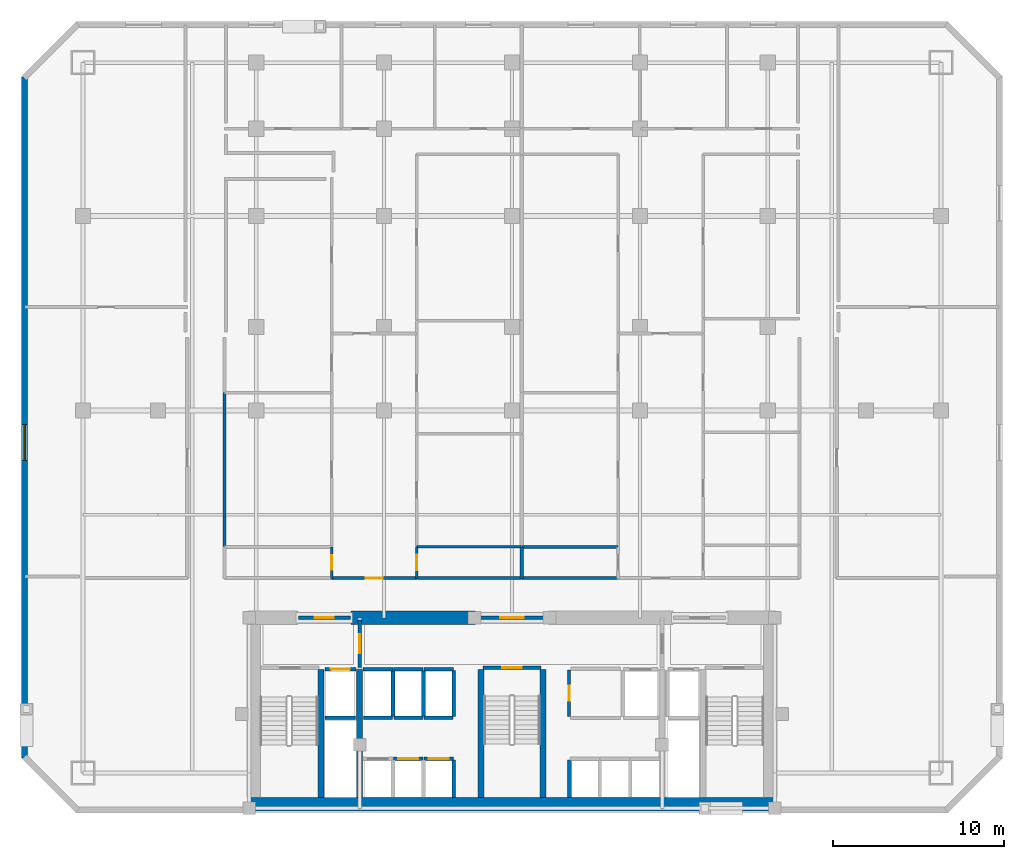
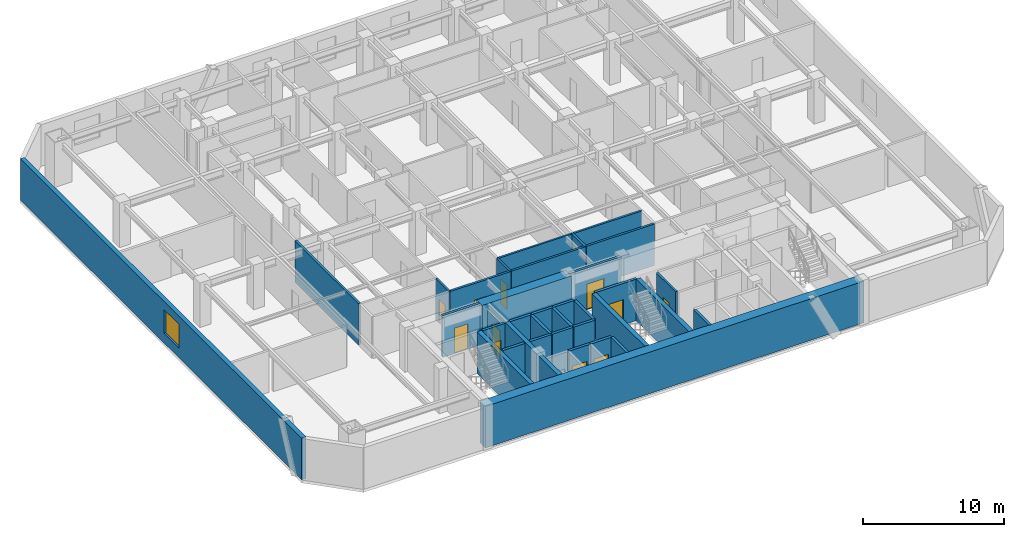
# One storey, part 3 of 8: 36 walls, 11 doors, 1 window, 12 openings.
"""IFC4 building model written with IfcOpenShell, lengths in metres."""

from ifc_helpers import new_model, si_unit, direction, frame, frame_2d, origin, place, context, subcontext, project, spatial, rectangle, extrude, material, layer, layer_set, type_object, element, fill, save


model = new_model("IFC4")

# Units and contexts
model_context = context("Model", 3, precision=1e-05, world=origin(), true_north=direction((0.0, 1.0)))
body_context = subcontext(model_context, "Body", "Model", "MODEL_VIEW")
ifc_project = project(units=[si_unit("LENGTHUNIT", "METRE"), si_unit("AREAUNIT", "SQUARE_METRE"), si_unit("VOLUMEUNIT", "CUBIC_METRE"), si_unit("PLANEANGLEUNIT", "RADIAN"), si_unit("MASSUNIT", "GRAM", prefix="KILO")], contexts=[model_context])

# Site, building, storey
site_placement = place(None, origin())
site = spatial("IfcSite", under=ifc_project, at=site_placement, CompositionType="ELEMENT")
building_placement = place(site_placement, origin())
building = spatial("IfcBuilding", under=site, at=building_placement, Name="Ventersveld Concourse Tower", CompositionType="ELEMENT")
storey_placement = place(building_placement, frame((0.0, 0.0, 33.64990234375)))
storey = spatial("IfcBuildingStorey", under=building, at=storey_placement, Name="L07", CompositionType="ELEMENT", Elevation=33.64990234375)

# Walls
ifc_material_1 = material(Name="Concrete C60/75", Category="concrete")
ifc_layer_1 = layer(ifc_material_1, 0.35009765625)
ifc_layer_set_1 = layer_set([ifc_layer_1], Name="Concrete C60/75")
wall_type_1 = type_object("IfcWallType", Name="WL-CORE-350L", PredefinedType="SHEAR", material=ifc_layer_set_1)
for number, where, z_axis, x_axis, name in (
    (1, (17.5400390625, 0.919921875, 0.0), (0.0, 0.0, 1.0), (0.0, 1.0, 0.0), "L07 Core Internal Shear Web W-ST1-E"),
    (2, (19.820068359375, 0.919921875, 0.0), (0.0, 0.0, 1.0), (0.0, 1.0, 0.0), "L07 Core Internal Shear Web W-FF1-E"),
    (3, (26.93994140625, 0.919921875, 0.0), (0.0, 0.0, 1.0), (0.0, 1.0, 0.0), "L07 Core Internal Shear Web W-ST3-W"),
    (4, (30.56005859375, 0.919921875, 0.0), (0.0, 0.0, 1.0), (0.0, 1.0, 0.0), "L07 Core Internal Shear Web W-ST3-E"),
):
    element("IfcWall", number, at=place(storey_placement, frame(where, z_axis=z_axis, x_axis=x_axis)), inside=storey, type_object=wall_type_1, Name=name, PredefinedType="SHEAR", context=body_context, shape_type="SweptSolid", body=[
        extrude(rectangle(XDim=7.5, YDim=0.35009765625, at=frame_2d((3.75, 0.0))), origin(), (0.0, 0.0, 1.0), 3.60009765625),
    ])
ifc_layer_2 = layer(ifc_material_1, 0.800048828125)
ifc_layer_set_2 = layer_set([ifc_layer_2], Name="Concrete C60/75")
wall_type_2 = type_object("IfcWallType", Name="WL-CORE-800", PredefinedType="SHEAR", material=ifc_layer_set_2)
wall_1_placement = place(storey_placement, frame((13.25, 0.52001953125, 0.0), z_axis=(0.0, 0.0, 1.0), x_axis=(1.0, 0.0, 0.0)))
element("IfcWall", 5, at=wall_1_placement, inside=storey, type_object=wall_type_2, Name="L07 Rear Core South Shear Wall", PredefinedType="SHEAR", context=body_context, shape_type="SweptSolid", body=[
    extrude(rectangle(XDim=31.0, YDim=0.800048828125, at=frame_2d((15.5, 0.0))), origin(), (0.0, 0.0, 1.0), 3.60009765625),
])
wall_2_placement = place(storey_placement, frame((19.300048828125, 11.449951171875, 0.0), z_axis=(0.0, 0.0, 1.0), x_axis=(1.0, 0.0, 0.0)))
element("IfcWall", 6, at=wall_2_placement, inside=storey, type_object=wall_type_2, Name="L07 Rear Core North Shear Wall NML", PredefinedType="SHEAR", context=body_context, shape_type="SweptSolid", body=[
    extrude(rectangle(XDim=7.300048828125, YDim=0.800048828125, at=frame_2d((3.64990234375, 0.0))), origin(), (0.0, 0.0, 1.0), 3.60009765625),
])

# Wall, opening, door
ifc_material_2 = material(Name="Fire-rated autoclaved aerated masonry blockwork", Category="masonry")
ifc_layer_3 = layer(ifc_material_2, 0.179931640625)
ifc_layer_set_3 = layer_set([ifc_layer_3], Name="Fire-rated autoclaved aerated masonry blockwork")
wall_type_3 = type_object("IfcWallType", Name="WL-CORR-180", PredefinedType="PARTITIONING", material=ifc_layer_set_3)
wall_3_placement = place(storey_placement, frame((32.10009765625, 5.64990234375, 0.0), z_axis=(0.0, 0.0, 1.0), x_axis=(0.0, 1.0, 0.0)))
wall_3 = element("IfcWall", 7, at=wall_3_placement, inside=storey, type_object=wall_type_3, Name="L07 Core Passage Wall SP-L07-CBAY1", PredefinedType="PARTITIONING", context=body_context, shape_type="SweptSolid", body=[
    extrude(rectangle(XDim=2.72998046875, YDim=0.179931640625, at=frame_2d((1.364990234375, 0.0))), origin(), (0.0, 0.0, 1.0), 3.60009765625),
])
opening_1_placement = place(wall_3_placement, frame((0.925048828125, 0.0, 0.0)))
opening_1 = element("IfcOpeningElement", 8, at=opening_1_placement, cuts=wall_3, Name="Opening FD5", PredefinedType="OPENING", context=body_context, shape_type="SweptSolid", body=[
    extrude(rectangle(XDim=0.8798828125, YDim=2.050048828125, at=frame_2d((0.43994140625, 1.02490234375))), frame((0.0, 0.10009765625, 0.0), z_axis=(0.0, -1.0, 0.0), x_axis=(1.0, 0.0, 0.0)), (0.0, 0.0, 1.0), 0.199951171875),
])
ifc_material_3 = material(Name="Galvanised painted steel", Category="steel")
door_type_1 = type_object("IfcDoorType", Name="DR-RISER-088", OperationType="NOTDEFINED", PredefinedType="DOOR", material=ifc_material_3)
door_1_placement = place(opening_1_placement, origin())
door_1 = element("IfcDoor", 9, at=door_1_placement, inside=storey, type_object=door_type_1, Name="L07 Core Room Door L07 Core Housekeeping Linen Store (CD-L07-0225)", OperationType="SINGLE_SWING_RIGHT", OverallHeight=2.050048828125, OverallWidth=0.8798828125, PredefinedType="DOOR", context=body_context, shape_type="SweptSolid", body=[
    extrude(rectangle(XDim=0.8798828125, YDim=2.050048828125, at=frame_2d((0.43994140625, 1.02490234375))), frame((0.0, 0.02490234375, 0.0), z_axis=(0.0, -1.0, 0.0), x_axis=(1.0, 0.0, 0.0)), (0.0, 0.0, 1.0), 0.050048828125),
])
fill(opening_1, door_1)

wall_4_placement = place(storey_placement, frame((18.1787109375, 13.77001953125, 0.0), z_axis=(0.0, 0.0, 1.0), x_axis=(1.0, 0.0, 0.0)))
wall_4 = element("IfcWall", 10, at=wall_4_placement, inside=storey, type_object=wall_type_3, Name="L07 Interior Partition SP-L07-COR-SP-L07-07N1-FOY", PredefinedType="PARTITIONING", context=body_context, shape_type="SweptSolid", body=[
    extrude(rectangle(XDim=4.989990234375, YDim=0.179931640625, at=frame_2d((2.4951171875, 0.0))), origin(), (0.0, 0.0, 1.0), 3.60009765625),
])
opening_2_placement = place(wall_4_placement, frame((1.9951171875, 0.0, 0.0)))
opening_2 = element("IfcOpeningElement", 11, at=opening_2_placement, cuts=wall_4, Name="Opening FD3", PredefinedType="OPENING", context=body_context, shape_type="SweptSolid", body=[
    extrude(rectangle(XDim=1.0, YDim=2.14990234375, at=frame_2d((0.5, 1.074951171875))), frame((0.0, 0.10009765625, 0.0), z_axis=(0.0, -1.0, 0.0), x_axis=(1.0, 0.0, 0.0)), (0.0, 0.0, 1.0), 0.199951171875),
])
ifc_material_4 = material(Name="Solid-core hardwood veneer timber", Category="wood")
door_type_2 = type_object("IfcDoorType", Name="DR-FLAT-100", OperationType="NOTDEFINED", PredefinedType="DOOR", material=ifc_material_4)
door_2_placement = place(opening_2_placement, origin())
door_2 = element("IfcDoor", 12, at=door_2_placement, inside=storey, type_object=door_type_2, Name="L07 Interior Door SP-L07-COR to SP-L07-07N1-FOY (FD-L07-0228)", OperationType="SINGLE_SWING_RIGHT", OverallHeight=2.14990234375, OverallWidth=1.0, PredefinedType="DOOR", context=body_context, shape_type="SweptSolid", body=[
    extrude(rectangle(XDim=1.0, YDim=2.14990234375, at=frame_2d((0.5, 1.074951171875))), frame((0.0, 0.02490234375, 0.0), z_axis=(0.0, -1.0, 0.0), x_axis=(1.0, 0.0, 0.0)), (0.0, 0.0, 1.0), 0.050048828125),
])
fill(opening_2, door_2)

# Walls
wall_5_placement = place(storey_placement, frame((11.889892578125, 15.635009765625, 0.0), z_axis=(0.0, 0.0, 1.0), x_axis=(0.0, 1.0, 0.0)))
element("IfcWall", 13, at=wall_5_placement, inside=storey, type_object=wall_type_3, Name="L07 Interior Partition SP-L07-COR-SP-L07-07N1-DENL", PredefinedType="PARTITIONING", context=body_context, shape_type="SweptSolid", body=[
    extrude(rectangle(XDim=9.019775390625, YDim=0.179931640625, at=frame_2d((4.509765625, 0.0))), origin(), (0.0, 0.0, 1.0), 3.60009765625),
])
wall_6_placement = place(storey_placement, frame((23.19873046875, 13.77001953125, 0.0), z_axis=(0.0, 0.0, 1.0), x_axis=(1.0, 0.0, 0.0)))
element("IfcWall", 14, at=wall_6_placement, inside=storey, type_object=wall_type_3, Name="L07 Interior Partition SP-L07-COR-SP-L07-07N1-KIT", PredefinedType="PARTITIONING", context=body_context, shape_type="SweptSolid", body=[
    extrude(rectangle(XDim=6.120361328125, YDim=0.179931640625, at=frame_2d((3.06005859375, 0.0))), origin(), (0.0, 0.0, 1.0), 3.60009765625),
])
wall_7_placement = place(storey_placement, frame((29.34912109375, 13.77001953125, 0.0), z_axis=(0.0, 0.0, 1.0), x_axis=(1.0, 0.0, 0.0)))
element("IfcWall", 15, at=wall_7_placement, inside=storey, type_object=wall_type_3, Name="L07 Interior Partition SP-L07-COR-SP-L07-07N2-BATH", PredefinedType="PARTITIONING", context=body_context, shape_type="SweptSolid", body=[
    extrude(rectangle(XDim=5.587890625, YDim=0.179931640625, at=frame_2d((2.7939453125, 0.0))), origin(), (0.0, 0.0, 1.0), 3.60009765625),
])
ifc_layer_4 = layer(ifc_material_2, 0.199951171875)
ifc_layer_set_4 = layer_set([ifc_layer_4], Name="Fire-rated autoclaved aerated masonry blockwork")
wall_type_4 = type_object("IfcWallType", Name="WL-DEMISE-200", PredefinedType="PARTITIONING", material=ifc_layer_set_4)
wall_8_placement = place(storey_placement, frame((29.314208984375, 13.764892578125, 0.0), z_axis=(0.0, 0.0, 1.0), x_axis=(0.0, 1.0, 0.0)))
element("IfcWall", 16, at=wall_8_placement, inside=storey, type_object=wall_type_4, Name="L07 Interior Partition SP-L07-07N1-KIT-SP-L07-07N2-BATH", PredefinedType="PARTITIONING", context=body_context, shape_type="SweptSolid", body=[
    extrude(rectangle(XDim=1.840087890625, YDim=0.199951171875, at=frame_2d((0.919921875, 0.0))), origin(), (0.0, 0.0, 1.0), 3.60009765625),
])
ifc_layer_5 = layer(ifc_material_2, 0.219970703125)
ifc_layer_set_5 = layer_set([ifc_layer_5], Name="Fire-rated autoclaved aerated masonry blockwork")
wall_type_5 = type_object("IfcWallType", Name="WL-HOIST-220", PredefinedType="SOLIDWALL", material=ifc_layer_set_5)
wall_9_placement = place(storey_placement, frame((17.800048828125, 5.590087890625, 0.0), z_axis=(0.0, 0.0, 1.0), x_axis=(1.0, 0.0, 0.0)))
element("IfcWall", 17, at=wall_9_placement, inside=storey, type_object=wall_type_5, Name="L07 Lift Hoistway Back Wall FFL-01", PredefinedType="SOLIDWALL", context=body_context, shape_type="SweptSolid", body=[
    extrude(rectangle(XDim=1.780029296875, YDim=0.219970703125, at=frame_2d((0.89013671875, 0.0))), origin(), (0.0, 0.0, 1.0), 3.60009765625),
])

# Wall, opening, door
wall_10_placement = place(storey_placement, frame((17.780029296875, 8.429931640625, 0.0), z_axis=(0.0, 0.0, 1.0), x_axis=(1.0, 0.0, 0.0)))
wall_10 = element("IfcWall", 18, at=wall_10_placement, inside=storey, type_object=wall_type_5, Name="L07 Lift Hoistway Front Wall FFL-01", PredefinedType="SOLIDWALL", context=body_context, shape_type="SweptSolid", body=[
    extrude(rectangle(XDim=1.820068359375, YDim=0.219970703125, at=frame_2d((0.91015625, 0.0))), origin(), (0.0, 0.0, 1.0), 3.60009765625),
])
opening_3_placement = place(wall_10_placement, frame((0.35009765625, 0.0, 0.0)))
opening_3 = element("IfcOpeningElement", 19, at=opening_3_placement, cuts=wall_10, Name="Opening LD1", PredefinedType="OPENING", context=body_context, shape_type="SweptSolid", body=[
    extrude(rectangle(XDim=1.1201171875, YDim=2.25, at=frame_2d((0.56005859375, 1.125))), frame((0.0, 0.1201171875, 0.0), z_axis=(0.0, -1.0, 0.0), x_axis=(1.0, 0.0, 0.0)), (0.0, 0.0, 1.0), 0.239990234375),
])
ifc_material_5 = material(Name="Brushed stainless steel 316", Category="steel")
door_type_3 = type_object("IfcDoorType", Name="LD-FF-112", OperationType="SLIDING_TO_LEFT", PredefinedType="DOOR", material=ifc_material_5)
door_3_placement = place(opening_3_placement, origin())
door_3 = element("IfcDoor", 20, at=door_3_placement, inside=storey, type_object=door_type_3, Name="L07 Lift landing door FFL-01 (LD-L07-FFL-01)", OperationType="SLIDING_TO_LEFT", OverallHeight=2.25, OverallWidth=1.1201171875, PredefinedType="DOOR", context=body_context, shape_type="SweptSolid", body=[
    extrude(rectangle(XDim=1.1201171875, YDim=2.25, at=frame_2d((0.56005859375, 1.125))), frame((0.0, 0.02490234375, 0.0), z_axis=(0.0, -1.0, 0.0), x_axis=(1.0, 0.0, 0.0)), (0.0, 0.0, 1.0), 0.050048828125),
])
fill(opening_3, door_3)

wall_11_placement = place(storey_placement, frame((21.800048828125, 3.179931640625, 0.0), z_axis=(0.0, 0.0, 1.0), x_axis=(1.0, 0.0, 0.0)))
wall_11 = element("IfcWall", 21, at=wall_11_placement, inside=storey, type_object=wall_type_5, Name="L07 Lift Hoistway Front Wall PL-02", PredefinedType="SOLIDWALL", context=body_context, shape_type="SweptSolid", body=[
    extrude(rectangle(XDim=1.739990234375, YDim=0.219970703125, at=frame_2d((0.8701171875, 0.0))), origin(), (0.0, 0.0, 1.0), 3.60009765625),
])
opening_4_placement = place(wall_11_placement, frame((0.280029296875, 0.0, 0.0)))
opening_4 = element("IfcOpeningElement", 22, at=opening_4_placement, cuts=wall_11, Name="Opening LD2", PredefinedType="OPENING", context=body_context, shape_type="SweptSolid", body=[
    extrude(rectangle(XDim=1.179931640625, YDim=2.199951171875, at=frame_2d((0.58984375, 1.10009765625))), frame((0.0, 0.1201171875, 0.0), z_axis=(0.0, -1.0, 0.0), x_axis=(1.0, 0.0, 0.0)), (0.0, 0.0, 1.0), 0.239990234375),
])
door_type_4 = type_object("IfcDoorType", Name="LD-PAX-118", OperationType="SLIDING_TO_LEFT", PredefinedType="DOOR", material=ifc_material_5)
door_4_placement = place(opening_4_placement, origin())
door_4 = element("IfcDoor", 23, at=door_4_placement, inside=storey, type_object=door_type_4, Name="L07 Lift landing door PL-02 (LD-L07-PL-02)", OperationType="SLIDING_TO_LEFT", OverallHeight=2.199951171875, OverallWidth=1.179931640625, PredefinedType="DOOR", context=body_context, shape_type="SweptSolid", body=[
    extrude(rectangle(XDim=1.179931640625, YDim=2.199951171875, at=frame_2d((0.58984375, 1.10009765625))), frame((0.0, 0.02490234375, 0.0), z_axis=(0.0, -1.0, 0.0), x_axis=(1.0, 0.0, 0.0)), (0.0, 0.0, 1.0), 0.050048828125),
])
fill(opening_4, door_4)

# Wall
wall_12_placement = place(storey_placement, frame((25.340087890625, 0.89990234375, 0.0), z_axis=(0.0, 0.0, 1.0), x_axis=(0.0, 1.0, 0.0)))
element("IfcWall", 24, at=wall_12_placement, inside=storey, type_object=wall_type_5, Name="L07 Lift Hoistway Side Wall PL-03E", PredefinedType="SOLIDWALL", context=body_context, shape_type="SweptSolid", body=[
    extrude(rectangle(XDim=2.2001953125, YDim=0.219970703125, at=frame_2d((1.10009765625, 0.0))), origin(), (0.0, 0.0, 1.0), 3.60009765625),
])

# Wall, opening, door
wall_13_placement = place(storey_placement, frame((23.580078125, 3.179931640625, 0.0), z_axis=(0.0, 0.0, 1.0), x_axis=(1.0, 0.0, 0.0)))
wall_13 = element("IfcWall", 25, at=wall_13_placement, inside=storey, type_object=wall_type_5, Name="L07 Lift Hoistway Front Wall PL-03", PredefinedType="SOLIDWALL", context=body_context, shape_type="SweptSolid", body=[
    extrude(rectangle(XDim=1.739990234375, YDim=0.219970703125, at=frame_2d((0.8701171875, 0.0))), origin(), (0.0, 0.0, 1.0), 3.60009765625),
])
opening_5_placement = place(wall_13_placement, frame((0.280029296875, 0.0, 0.0)))
opening_5 = element("IfcOpeningElement", 26, at=opening_5_placement, cuts=wall_13, Name="Opening LD2", PredefinedType="OPENING", context=body_context, shape_type="SweptSolid", body=[
    extrude(rectangle(XDim=1.179931640625, YDim=2.199951171875, at=frame_2d((0.58984375, 1.10009765625))), frame((0.0, 0.1201171875, 0.0), z_axis=(0.0, -1.0, 0.0), x_axis=(1.0, 0.0, 0.0)), (0.0, 0.0, 1.0), 0.239990234375),
])
door_5_placement = place(opening_5_placement, origin())
door_5 = element("IfcDoor", 27, at=door_5_placement, inside=storey, type_object=door_type_4, Name="L07 Lift landing door PL-03 (LD-L07-PL-03)", OperationType="SLIDING_TO_RIGHT", OverallHeight=2.199951171875, OverallWidth=1.179931640625, PredefinedType="DOOR", context=body_context, shape_type="SweptSolid", body=[
    extrude(rectangle(XDim=1.179931640625, YDim=2.199951171875, at=frame_2d((0.58984375, 1.10009765625))), frame((0.0, 0.02490234375, 0.0), z_axis=(0.0, -1.0, 0.0), x_axis=(1.0, 0.0, 0.0)), (0.0, 0.0, 1.0), 0.050048828125),
])
fill(opening_5, door_5)

# Walls
wall_14_placement = place(storey_placement, frame((32.1201171875, 0.89990234375, 0.0), z_axis=(0.0, 0.0, 1.0), x_axis=(0.0, 1.0, 0.0)))
element("IfcWall", 28, at=wall_14_placement, inside=storey, type_object=wall_type_5, Name="L07 Lift Hoistway Side Wall PM-01W", PredefinedType="SOLIDWALL", context=body_context, shape_type="SweptSolid", body=[
    extrude(rectangle(XDim=2.2001953125, YDim=0.219970703125, at=frame_2d((1.10009765625, 0.0))), origin(), (0.0, 0.0, 1.0), 3.60009765625),
])
wall_15_placement = place(storey_placement, frame((20.0400390625, 5.590087890625, 0.0), z_axis=(0.0, 0.0, 1.0), x_axis=(1.0, 0.0, 0.0)))
element("IfcWall", 29, at=wall_15_placement, inside=storey, type_object=wall_type_5, Name="L07 Lift Hoistway Back Wall PH-01", PredefinedType="SOLIDWALL", context=body_context, shape_type="SweptSolid", body=[
    extrude(rectangle(XDim=1.699951171875, YDim=0.219970703125, at=frame_2d((0.85009765625, 0.0))), origin(), (0.0, 0.0, 1.0), 3.60009765625),
])
wall_16_placement = place(storey_placement, frame((21.780029296875, 5.64990234375, 0.0), z_axis=(0.0, 0.0, 1.0), x_axis=(0.0, 1.0, 0.0)))
element("IfcWall", 30, at=wall_16_placement, inside=storey, type_object=wall_type_5, Name="L07 Lift Hoistway Side Wall PH-01E", PredefinedType="SOLIDWALL", context=body_context, shape_type="SweptSolid", body=[
    extrude(rectangle(XDim=2.7001953125, YDim=0.219970703125, at=frame_2d((1.35009765625, 0.0))), origin(), (0.0, 0.0, 1.0), 3.60009765625),
])
wall_17_placement = place(storey_placement, frame((20.02001953125, 8.429931640625, 0.0), z_axis=(0.0, 0.0, 1.0), x_axis=(1.0, 0.0, 0.0)))
element("IfcWall", 31, at=wall_17_placement, inside=storey, type_object=wall_type_5, Name="L07 Lift Hoistway Front Wall PH-01", PredefinedType="SOLIDWALL", context=body_context, shape_type="SweptSolid", body=[
    extrude(rectangle(XDim=1.739990234375, YDim=0.219970703125, at=frame_2d((0.8701171875, 0.0))), origin(), (0.0, 0.0, 1.0), 3.60009765625),
])
wall_18_placement = place(storey_placement, frame((21.820068359375, 5.590087890625, 0.0), z_axis=(0.0, 0.0, 1.0), x_axis=(1.0, 0.0, 0.0)))
element("IfcWall", 32, at=wall_18_placement, inside=storey, type_object=wall_type_5, Name="L07 Lift Hoistway Back Wall PH-02", PredefinedType="SOLIDWALL", context=body_context, shape_type="SweptSolid", body=[
    extrude(rectangle(XDim=1.699951171875, YDim=0.219970703125, at=frame_2d((0.85009765625, 0.0))), origin(), (0.0, 0.0, 1.0), 3.60009765625),
])
wall_19_placement = place(storey_placement, frame((23.56005859375, 5.64990234375, 0.0), z_axis=(0.0, 0.0, 1.0), x_axis=(0.0, 1.0, 0.0)))
element("IfcWall", 33, at=wall_19_placement, inside=storey, type_object=wall_type_5, Name="L07 Lift Hoistway Side Wall PH-02E", PredefinedType="SOLIDWALL", context=body_context, shape_type="SweptSolid", body=[
    extrude(rectangle(XDim=2.7001953125, YDim=0.219970703125, at=frame_2d((1.35009765625, 0.0))), origin(), (0.0, 0.0, 1.0), 3.60009765625),
])
wall_20_placement = place(storey_placement, frame((21.800048828125, 8.429931640625, 0.0), z_axis=(0.0, 0.0, 1.0), x_axis=(1.0, 0.0, 0.0)))
element("IfcWall", 34, at=wall_20_placement, inside=storey, type_object=wall_type_5, Name="L07 Lift Hoistway Front Wall PH-02", PredefinedType="SOLIDWALL", context=body_context, shape_type="SweptSolid", body=[
    extrude(rectangle(XDim=1.739990234375, YDim=0.219970703125, at=frame_2d((0.8701171875, 0.0))), origin(), (0.0, 0.0, 1.0), 3.60009765625),
])
wall_21_placement = place(storey_placement, frame((23.60009765625, 5.590087890625, 0.0), z_axis=(0.0, 0.0, 1.0), x_axis=(1.0, 0.0, 0.0)))
element("IfcWall", 35, at=wall_21_placement, inside=storey, type_object=wall_type_5, Name="L07 Lift Hoistway Back Wall PH-03", PredefinedType="SOLIDWALL", context=body_context, shape_type="SweptSolid", body=[
    extrude(rectangle(XDim=1.699951171875, YDim=0.219970703125, at=frame_2d((0.85009765625, 0.0))), origin(), (0.0, 0.0, 1.0), 3.60009765625),
])
wall_22_placement = place(storey_placement, frame((25.340087890625, 5.64990234375, 0.0), z_axis=(0.0, 0.0, 1.0), x_axis=(0.0, 1.0, 0.0)))
element("IfcWall", 36, at=wall_22_placement, inside=storey, type_object=wall_type_5, Name="L07 Lift Hoistway Side Wall PH-03E", PredefinedType="SOLIDWALL", context=body_context, shape_type="SweptSolid", body=[
    extrude(rectangle(XDim=2.7001953125, YDim=0.219970703125, at=frame_2d((1.35009765625, 0.0))), origin(), (0.0, 0.0, 1.0), 3.60009765625),
])
wall_23_placement = place(storey_placement, frame((23.580078125, 8.429931640625, 0.0), z_axis=(0.0, 0.0, 1.0), x_axis=(1.0, 0.0, 0.0)))
element("IfcWall", 37, at=wall_23_placement, inside=storey, type_object=wall_type_5, Name="L07 Lift Hoistway Front Wall PH-03", PredefinedType="SOLIDWALL", context=body_context, shape_type="SweptSolid", body=[
    extrude(rectangle(XDim=1.739990234375, YDim=0.219970703125, at=frame_2d((0.8701171875, 0.0))), origin(), (0.0, 0.0, 1.0), 3.60009765625),
])

# Wall, opening, door
wall_24_placement = place(storey_placement, frame((27.0400390625, 8.52001953125, 0.0), z_axis=(0.0, 0.0, 1.0), x_axis=(1.0, 0.0, 0.0)))
wall_24 = element("IfcWall", 38, at=wall_24_placement, inside=storey, type_object=wall_type_5, Name="L07 Escape Stair ST03 Fire Wall", PredefinedType="SOLIDWALL", context=body_context, shape_type="SweptSolid", body=[
    extrude(rectangle(XDim=3.419921875, YDim=0.219970703125, at=frame_2d((1.7099609375, 0.0))), origin(), (0.0, 0.0, 1.0), 3.60009765625),
])
opening_6_placement = place(wall_24_placement, frame((1.135009765625, 0.0, 0.0)))
opening_6 = element("IfcOpeningElement", 39, at=opening_6_placement, cuts=wall_24, Name="Opening FD1", PredefinedType="OPENING", context=body_context, shape_type="SweptSolid", body=[
    extrude(rectangle(XDim=1.14990234375, YDim=2.199951171875, at=frame_2d((0.574951171875, 1.10009765625))), frame((0.0, 0.1201171875, 0.0), z_axis=(0.0, -1.0, 0.0), x_axis=(1.0, 0.0, 0.0)), (0.0, 0.0, 1.0), 0.239990234375),
])
door_type_5 = type_object("IfcDoorType", Name="DR-STAIR-115", OperationType="NOTDEFINED", PredefinedType="DOOR", material=ifc_material_3)
door_6_placement = place(opening_6_placement, origin())
door_6 = element("IfcDoor", 40, at=door_6_placement, inside=storey, type_object=door_type_5, Name="L07 Escape Stair Door ST03 (SD-L07-0219)", OperationType="SINGLE_SWING_LEFT", OverallHeight=2.199951171875, OverallWidth=1.14990234375, PredefinedType="DOOR", context=body_context, shape_type="SweptSolid", body=[
    extrude(rectangle(XDim=1.14990234375, YDim=2.199951171875, at=frame_2d((0.574951171875, 1.10009765625))), frame((0.0, 0.02490234375, 0.0), z_axis=(0.0, -1.0, 0.0), x_axis=(1.0, 0.0, 0.0)), (0.0, 0.0, 1.0), 0.050048828125),
])
fill(opening_6, door_6)

wall_25_placement = place(storey_placement, frame((19.820068359375, 8.52001953125, 0.0), z_axis=(0.0, 0.0, 1.0), x_axis=(0.0, 1.0, 0.0)))
wall_25 = element("IfcWall", 41, at=wall_25_placement, inside=storey, type_object=wall_type_5, Name="L07 Firefighting Lobby Smoke-Stop Wall FFLW-SEP", PredefinedType="SOLIDWALL", context=body_context, shape_type="SweptSolid", body=[
    extrude(rectangle(XDim=2.800048828125, YDim=0.219970703125, at=frame_2d((1.39990234375, 0.0))), origin(), (0.0, 0.0, 1.0), 3.0556640625),
])
opening_7_placement = place(wall_25_placement, frame((0.85009765625, 0.0, 0.0)))
opening_7 = element("IfcOpeningElement", 42, at=opening_7_placement, cuts=wall_25, Name="Opening FD2", PredefinedType="OPENING", context=body_context, shape_type="SweptSolid", body=[
    extrude(rectangle(XDim=1.10009765625, YDim=2.199951171875, at=frame_2d((0.550048828125, 1.10009765625))), frame((0.0, 0.1201171875, 0.0), z_axis=(0.0, -1.0, 0.0), x_axis=(1.0, 0.0, 0.0)), (0.0, 0.0, 1.0), 0.239990234375),
])
door_type_6 = type_object("IfcDoorType", Name="DR-FFL-110", OperationType="NOTDEFINED", PredefinedType="DOOR", material=ifc_material_3)
door_7_placement = place(opening_7_placement, origin())
door_7 = element("IfcDoor", 43, at=door_7_placement, inside=storey, type_object=door_type_6, Name="L07 Firefighting Lobby Door FFLW-SEP (FD-L07-0220)", OperationType="SINGLE_SWING_LEFT", OverallHeight=2.199951171875, OverallWidth=1.10009765625, PredefinedType="DOOR", context=body_context, shape_type="SweptSolid", body=[
    extrude(rectangle(XDim=1.10009765625, YDim=2.199951171875, at=frame_2d((0.550048828125, 1.10009765625))), frame((0.0, 0.02490234375, 0.0), z_axis=(0.0, -1.0, 0.0), x_axis=(1.0, 0.0, 0.0)), (0.0, 0.0, 1.0), 0.050048828125),
])
fill(opening_7, door_7)

wall_26_placement = place(storey_placement, frame((16.22998046875, 11.449951171875, 0.0), z_axis=(0.0, 0.0, 1.0), x_axis=(1.0, 0.0, 0.0)))
wall_26 = element("IfcWall", 44, at=wall_26_placement, inside=storey, type_object=wall_type_5, Name="L07 Core North Fire Portal FFLW-OUT", PredefinedType="SOLIDWALL", context=body_context, shape_type="SweptSolid", body=[
    extrude(rectangle(XDim=3.0400390625, YDim=0.219970703125, at=frame_2d((1.52001953125, 0.0))), origin(), (0.0, 0.0, 1.0), 3.60009765625),
])
opening_8_placement = place(wall_26_placement, frame((0.969970703125, 0.0, 0.0)))
opening_8 = element("IfcOpeningElement", 45, at=opening_8_placement, cuts=wall_26, Name="Opening FD2", PredefinedType="OPENING", context=body_context, shape_type="SweptSolid", body=[
    extrude(rectangle(XDim=1.10009765625, YDim=2.199951171875, at=frame_2d((0.550048828125, 1.10009765625))), frame((0.0, 0.1201171875, 0.0), z_axis=(0.0, -1.0, 0.0), x_axis=(1.0, 0.0, 0.0)), (0.0, 0.0, 1.0), 0.239990234375),
])
door_8_placement = place(opening_8_placement, origin())
door_8 = element("IfcDoor", 46, at=door_8_placement, inside=storey, type_object=door_type_6, Name="L07 Core Lobby Fire Door FFLW-OUT (FD-L07-0222)", OperationType="SINGLE_SWING_RIGHT", OverallHeight=2.199951171875, OverallWidth=1.10009765625, PredefinedType="DOOR", context=body_context, shape_type="SweptSolid", body=[
    extrude(rectangle(XDim=1.10009765625, YDim=2.199951171875, at=frame_2d((0.550048828125, 1.10009765625))), frame((0.0, 0.02490234375, 0.0), z_axis=(0.0, -1.0, 0.0), x_axis=(1.0, 0.0, 0.0)), (0.0, 0.0, 1.0), 0.050048828125),
])
fill(opening_8, door_8)

wall_27_placement = place(storey_placement, frame((26.6298828125, 11.449951171875, 0.0), z_axis=(0.0, 0.0, 1.0), x_axis=(1.0, 0.0, 0.0)))
wall_27 = element("IfcWall", 47, at=wall_27_placement, inside=storey, type_object=wall_type_5, Name="L07 Core North Fire Portal PLOB-OUT", PredefinedType="SOLIDWALL", context=body_context, shape_type="SweptSolid", body=[
    extrude(rectangle(XDim=4.240234375, YDim=0.219970703125, at=frame_2d((2.1201171875, 0.0))), origin(), (0.0, 0.0, 1.0), 3.60009765625),
])
opening_9_placement = place(wall_27_placement, frame((1.419921875, 0.0, 0.0)))
opening_9 = element("IfcOpeningElement", 48, at=opening_9_placement, cuts=wall_27, Name="Opening FD4", PredefinedType="OPENING", context=body_context, shape_type="SweptSolid", body=[
    extrude(rectangle(XDim=1.39990234375, YDim=2.199951171875, at=frame_2d((0.699951171875, 1.10009765625))), frame((0.0, 0.1201171875, 0.0), z_axis=(0.0, -1.0, 0.0), x_axis=(1.0, 0.0, 0.0)), (0.0, 0.0, 1.0), 0.239990234375),
])
door_type_7 = type_object("IfcDoorType", Name="DR-PLANT-140", OperationType="DOUBLE_DOOR_SINGLE_SWING", PredefinedType="DOOR", material=ifc_material_3)
door_9_placement = place(opening_9_placement, origin())
door_9 = element("IfcDoor", 49, at=door_9_placement, inside=storey, type_object=door_type_7, Name="L07 Core Lobby Fire Door PLOB-OUT (FD-L07-0223)", OperationType="DOUBLE_DOOR_SINGLE_SWING", OverallHeight=2.199951171875, OverallWidth=1.39990234375, PredefinedType="DOOR", context=body_context, shape_type="SweptSolid", body=[
    extrude(rectangle(XDim=1.39990234375, YDim=2.199951171875, at=frame_2d((0.699951171875, 1.10009765625))), frame((0.0, 0.02490234375, 0.0), z_axis=(0.0, -1.0, 0.0), x_axis=(1.0, 0.0, 0.0)), (0.0, 0.0, 1.0), 0.050048828125),
])
fill(opening_9, door_9)

ifc_material_6 = material(Name="Autoclaved aerated masonry blockwork", Category="masonry")
ifc_layer_6 = layer(ifc_material_6, 0.14990234375)
ifc_layer_set_6 = layer_set([ifc_layer_6], Name="Autoclaved aerated masonry blockwork")
wall_type_6 = type_object("IfcWallType", Name="WL-INT-150", PredefinedType="PARTITIONING", material=ifc_layer_set_6)
wall_28_placement = place(storey_placement, frame((23.163818359375, 13.764892578125, 0.0), z_axis=(0.0, 0.0, 1.0), x_axis=(0.0, 1.0, 0.0)))
wall_28 = element("IfcWall", 50, at=wall_28_placement, inside=storey, type_object=wall_type_6, Name="L07 Interior Partition SP-L07-07N1-FOY-SP-L07-07N1-KIT", PredefinedType="PARTITIONING", context=body_context, shape_type="SweptSolid", body=[
    extrude(rectangle(XDim=1.840087890625, YDim=0.14990234375, at=frame_2d((0.919921875, 0.0))), origin(), (0.0, 0.0, 1.0), 3.60009765625),
])
opening_10_placement = place(wall_28_placement, frame((0.4599609375, 0.0, 0.0)))
opening_10 = element("IfcOpeningElement", 51, at=opening_10_placement, cuts=wall_28, Name="Opening ID1", PredefinedType="OPENING", context=body_context, shape_type="SweptSolid", body=[
    extrude(rectangle(XDim=0.919921875, YDim=2.10009765625, at=frame_2d((0.4599609375, 1.050048828125))), frame((0.0, 0.0849609375, 0.0), z_axis=(0.0, -1.0, 0.0), x_axis=(1.0, 0.0, 0.0)), (0.0, 0.0, 1.0), 0.169921875),
])
door_type_8 = type_object("IfcDoorType", Name="DR-ROOM-092", OperationType="NOTDEFINED", PredefinedType="DOOR", material=ifc_material_4)
door_10_placement = place(opening_10_placement, origin())
door_10 = element("IfcDoor", 52, at=door_10_placement, inside=storey, type_object=door_type_8, Name="L07 Interior Door SP-L07-07N1-FOY to SP-L07-07N1-KIT (D-L07-0236)", OperationType="SINGLE_SWING_RIGHT", OverallHeight=2.10009765625, OverallWidth=0.919921875, PredefinedType="DOOR", context=body_context, shape_type="SweptSolid", body=[
    extrude(rectangle(XDim=0.919921875, YDim=2.10009765625, at=frame_2d((0.4599609375, 1.050048828125))), frame((0.0, 0.02490234375, 0.0), z_axis=(0.0, -1.0, 0.0), x_axis=(1.0, 0.0, 0.0)), (0.0, 0.0, 1.0), 0.050048828125),
])
fill(opening_10, door_10)

# Wall
wall_29_placement = place(storey_placement, frame((23.15869140625, 15.60009765625, 0.0), z_axis=(0.0, 0.0, 1.0), x_axis=(1.0, 0.0, 0.0)))
element("IfcWall", 53, at=wall_29_placement, inside=storey, type_object=wall_type_6, Name="L07 Interior Partition SP-L07-07N1-KIT-SP-L07-07N1-DENR", PredefinedType="PARTITIONING", context=body_context, shape_type="SweptSolid", body=[
    extrude(rectangle(XDim=6.160400390625, YDim=0.14990234375, at=frame_2d((3.080078125, 0.0))), origin(), (0.0, 0.0, 1.0), 3.60009765625),
])

# Wall, opening, window
ifc_material_7 = material(Name="Precast concrete C45/55", Category="concrete")
ifc_layer_7 = layer(ifc_material_7, 0.35009765625)
ifc_layer_set_7 = layer_set([ifc_layer_7], Name="Precast concrete C45/55")
wall_type_7 = type_object("IfcWallType", Name="WL-PREC-350", PredefinedType="SOLIDWALL", material=ifc_layer_set_7)
wall_30_placement = place(storey_placement, frame((0.175048828125, 43.159912109375, 0.0), z_axis=(0.0, 0.0, 1.0), x_axis=(0.0, -1.0, 0.0)))
wall_30 = element("IfcWall", 54, at=wall_30_placement, inside=storey, type_object=wall_type_7, Name="L07 Highveld Precast Facade Wall E07", PredefinedType="SOLIDWALL", context=body_context, shape_type="SweptSolid", body=[
    extrude(rectangle(XDim=39.919921875, YDim=0.35009765625, at=frame_2d((19.9599609375, 0.0))), origin(), (0.0, 0.0, 1.0), 3.60009765625),
])
opening_11_placement = place(wall_30_placement, frame((20.389892578125, 0.0, 0.85009765625)))
opening_11 = element("IfcOpeningElement", 55, at=opening_11_placement, cuts=wall_30, Name="Opening W7", PredefinedType="OPENING", context=body_context, shape_type="SweptSolid", body=[
    extrude(rectangle(XDim=2.10009765625, YDim=2.050048828125, at=frame_2d((1.050048828125, 1.02490234375))), frame((0.0, 0.18505859375, 0.0), z_axis=(0.0, -1.0, 0.0), x_axis=(1.0, 0.0, 0.0)), (0.0, 0.0, 1.0), 0.3701171875),
])
ifc_material_8 = material(Name="Tempered acoustic Low-E IGU", Category="glass")
window_type = type_object("IfcWindowType", Name="WIN-210x205", PartitioningType="SINGLE_PANEL", PredefinedType="WINDOW", material=ifc_material_8)
window_placement = place(opening_11_placement, origin())
window = element("IfcWindow", 56, at=window_placement, inside=storey, type_object=window_type, Name="L07 Punched Low-E Window W-0013", OverallHeight=2.050048828125, OverallWidth=2.10009765625, PartitioningType="SINGLE_PANEL", PredefinedType="WINDOW", context=body_context, shape_type="SweptSolid", body=[
    extrude(rectangle(XDim=2.10009765625, YDim=2.050048828125, at=frame_2d((1.050048828125, 1.02490234375))), frame((0.0, 0.030029296875, 0.0), z_axis=(0.0, -1.0, 0.0), x_axis=(1.0, 0.0, 0.0)), (0.0, 0.0, 1.0), 0.06005859375),
])
fill(opening_11, window)

# Wall, opening, door
ifc_layer_8 = layer(ifc_material_6, 0.1650390625)
ifc_layer_set_8 = layer_set([ifc_layer_8], Name="Autoclaved aerated masonry blockwork")
wall_type_8 = type_object("IfcWallType", Name="WL-WET-165", PredefinedType="PLUMBINGWALL", material=ifc_layer_set_8)
wall_31_placement = place(storey_placement, frame((18.183837890625, 13.764892578125, 0.0), z_axis=(0.0, 0.0, 1.0), x_axis=(0.0, 1.0, 0.0)))
wall_31 = element("IfcWall", 57, at=wall_31_placement, inside=storey, type_object=wall_type_8, Name="L07 Interior Partition SP-L07-07N1-FOY-SP-L07-07N1-BATH", PredefinedType="PLUMBINGWALL", context=body_context, shape_type="SweptSolid", body=[
    extrude(rectangle(XDim=1.840087890625, YDim=0.1650390625, at=frame_2d((0.919921875, 0.0))), origin(), (0.0, 0.0, 1.0), 3.60009765625),
])
opening_12_placement = place(wall_31_placement, frame((0.4951171875, 0.0, 0.0)))
opening_12 = element("IfcOpeningElement", 58, at=opening_12_placement, cuts=wall_31, Name="Opening ID2", PredefinedType="OPENING", context=body_context, shape_type="SweptSolid", body=[
    extrude(rectangle(XDim=0.85009765625, YDim=2.10009765625, at=frame_2d((0.425048828125, 1.050048828125))), frame((0.0, 0.092529296875, 0.0), z_axis=(0.0, -1.0, 0.0), x_axis=(1.0, 0.0, 0.0)), (0.0, 0.0, 1.0), 0.18505859375),
])
door_type_9 = type_object("IfcDoorType", Name="DR-BATH-085", OperationType="NOTDEFINED", PredefinedType="DOOR", material=ifc_material_4)
door_11_placement = place(opening_12_placement, origin())
door_11 = element("IfcDoor", 59, at=door_11_placement, inside=storey, type_object=door_type_9, Name="L07 Interior Door SP-L07-07N1-FOY to SP-L07-07N1-BATH (D-L07-0233)", OperationType="SINGLE_SWING_LEFT", OverallHeight=2.10009765625, OverallWidth=0.85009765625, PredefinedType="DOOR", context=body_context, shape_type="SweptSolid", body=[
    extrude(rectangle(XDim=0.85009765625, YDim=2.10009765625, at=frame_2d((0.425048828125, 1.050048828125))), frame((0.0, 0.02490234375, 0.0), z_axis=(0.0, -1.0, 0.0), x_axis=(1.0, 0.0, 0.0)), (0.0, 0.0, 1.0), 0.050048828125),
])
fill(opening_12, door_11)

# Wall
wall_32_placement = place(storey_placement, frame((29.34912109375, 15.60009765625, 0.0), z_axis=(0.0, 0.0, 1.0), x_axis=(1.0, 0.0, 0.0)))
element("IfcWall", 60, at=wall_32_placement, inside=storey, type_object=wall_type_8, Name="L07 Interior Partition SP-L07-07N2-BATH-SP-L07-07N2-DENL", PredefinedType="PLUMBINGWALL", context=body_context, shape_type="SweptSolid", body=[
    extrude(rectangle(XDim=5.6279296875, YDim=0.1650390625, at=frame_2d((2.81396484375, 0.0))), origin(), (0.0, 0.0, 1.0), 3.60009765625),
])

save(model, "model.ifc")
